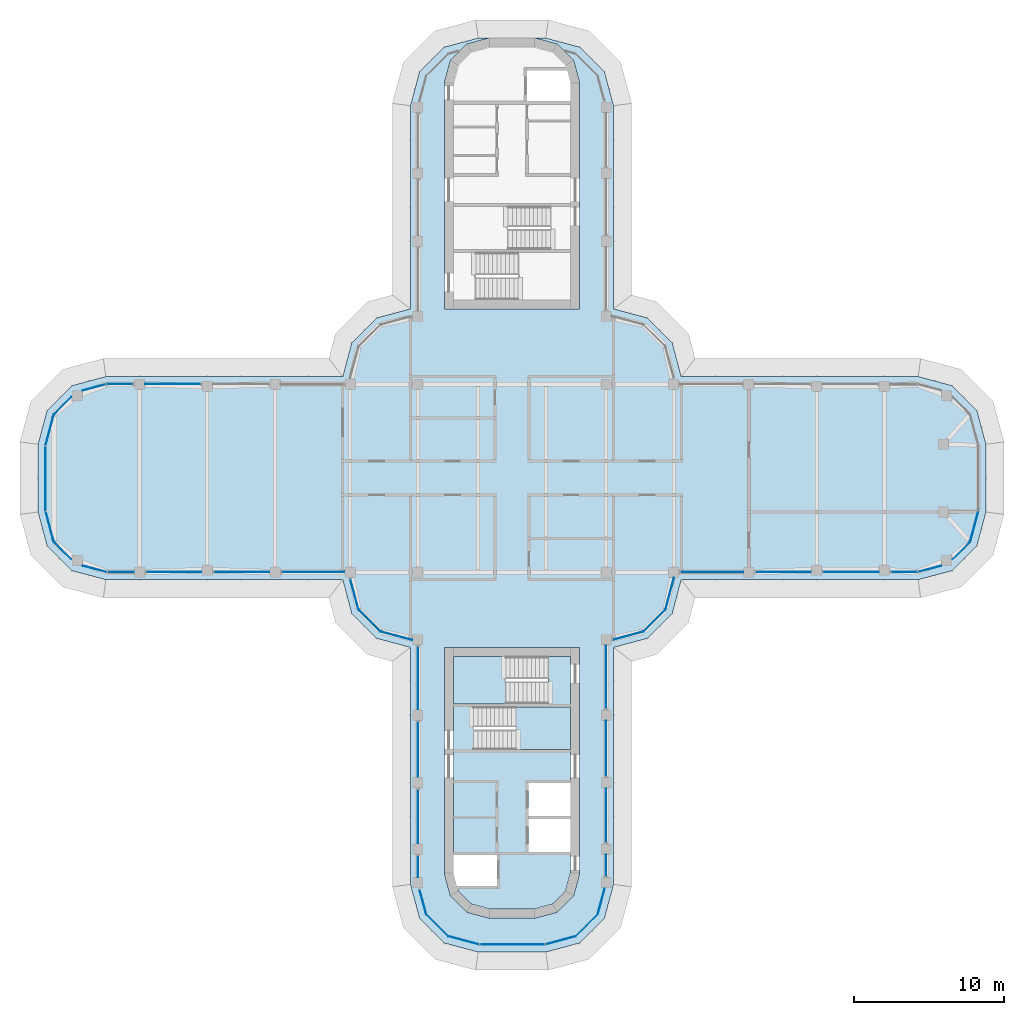
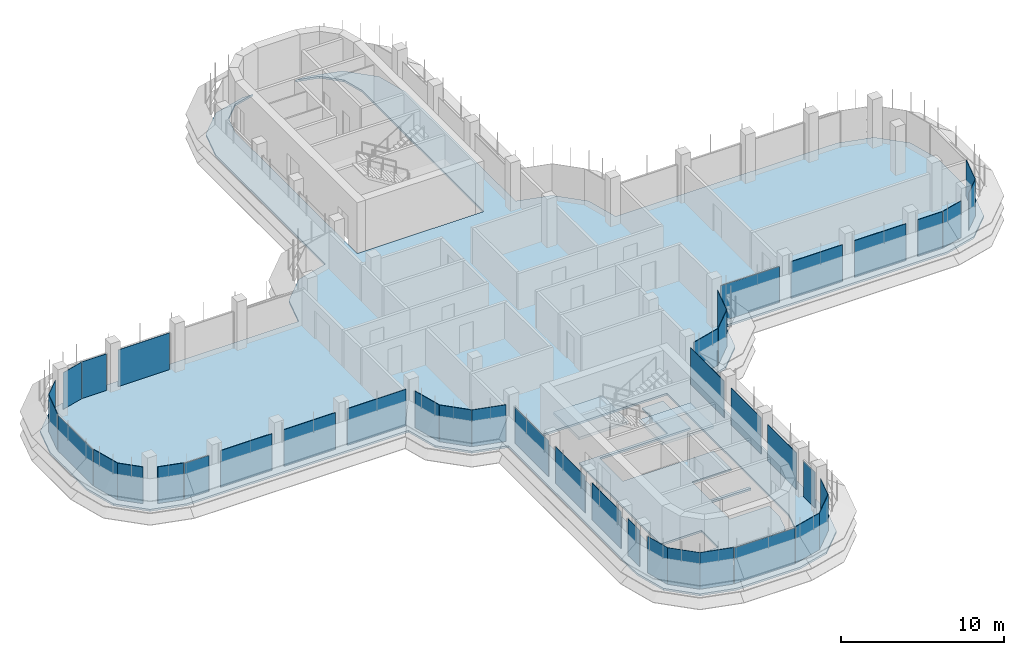
# One storey, part 11 of 19: 41 plates, 4 slabs, 30 elements without a shape of their own.
"""IFC4 building model written with IfcOpenShell, lengths in metres."""

import ifcopenshell
import ifcopenshell.guid

model = None  # the IFC model being written
_history = None  # IfcOwnerHistory: only IFC2X3 demands one
_inside = {}  # id of a spatial element -> (the spatial element, [elements in it])
_under = {}  # id of a project, library or spatial element -> (it, [spatial elements below it])
_declared = {}  # id of a project -> (the project, [libraries it declares])
_typed = {}  # id of a type object -> (the type object, [elements of that type])
_made_of = {}  # id of a material, layer set ... -> (it, [elements and type objects made of it])


def new_model(schema):
    """Start an empty IFC model of exactly this schema.

    Asked for "IFC4X3", IfcOpenShell would pick the latest addendum, in which some entities
    have other attributes; the version numbers below select the first issue.
    IFC2X3 requires an IfcOwnerHistory on every rooted entity: one is made here for all.
    """
    global model, _history
    if schema == "IFC4X3":
        model = ifcopenshell.file(schema_version=(4, 3, 0, 0))
    else:
        model = ifcopenshell.file(schema=schema)
    _inside.clear()
    _under.clear()
    _declared.clear()
    _typed.clear()
    _made_of.clear()
    _history = None
    if model.schema == "IFC2X3":
        org = make("IfcOrganization", Name="unknown")
        user = make(
            "IfcPersonAndOrganization",
            ThePerson=make("IfcPerson", FamilyName="unknown"),
            TheOrganization=org,
        )
        app = make(
            "IfcApplication",
            ApplicationDeveloper=org,
            Version="unknown",
            ApplicationFullName="unknown",
            ApplicationIdentifier="unknown",
        )
        _history = make(
            "IfcOwnerHistory",
            OwningUser=user,
            OwningApplication=app,
            ChangeAction="ADDED",
            CreationDate=0,
        )
    return model


def make(cls, **values):
    """One entity of the class cls with the attributes given. An attribute that is None is left unset."""
    return model.create_entity(
        cls, **{name: value for name, value in values.items() if value is not None}
    )


def rooted(cls, **values):
    """An entity with a GlobalId (a new one), such as an element, a storey or a relation."""
    return make(cls, GlobalId=ifcopenshell.guid.new(), OwnerHistory=_history, **values)


def si_unit(unit_type, name, prefix=None):
    """IfcSIUnit, for example si_unit("LENGTHUNIT", "METRE", prefix="MILLI")."""
    return make("IfcSIUnit", UnitType=unit_type, Prefix=prefix, Name=name)


def assignment(units):
    """IfcUnitAssignment: the units of a project."""
    return None if units is None else make("IfcUnitAssignment", Units=units)


def point(xyz):
    """IfcCartesianPoint."""
    return None if xyz is None else make("IfcCartesianPoint", Coordinates=xyz)


def direction(xyz):
    """IfcDirection."""
    return None if xyz is None else make("IfcDirection", DirectionRatios=xyz)


def frame(location, z_axis=None, x_axis=None):
    """IfcAxis2Placement3D, a coordinate frame: its origin and axes. An axis left out is left unset."""
    return make(
        "IfcAxis2Placement3D",
        Location=point(location),
        Axis=direction(z_axis),
        RefDirection=direction(x_axis),
    )


def origin():
    """The frame at (0, 0, 0) with its axes left unset."""
    return frame((0.0, 0.0, 0.0))


def place(relative_to, where):
    """IfcLocalPlacement: puts the frame where relative to a parent placement (None: the world)."""
    return make(
        "IfcLocalPlacement", PlacementRelTo=relative_to, RelativePlacement=where
    )


def context(
    kind, dimensions, precision=None, world=None, true_north=None, identifier=None
):
    """IfcGeometricRepresentationContext, for example the 3D "Model" context."""
    return make(
        "IfcGeometricRepresentationContext",
        ContextIdentifier=identifier,
        ContextType=kind,
        CoordinateSpaceDimension=dimensions,
        Precision=precision,
        WorldCoordinateSystem=world,
        TrueNorth=true_north,
    )


def subcontext(parent, identifier, kind, view, scale=None):
    """IfcGeometricRepresentationSubContext, for example "Body" below "Model"."""
    return make(
        "IfcGeometricRepresentationSubContext",
        ContextIdentifier=identifier,
        ContextType=kind,
        ParentContext=parent,
        TargetScale=scale,
        TargetView=view,
    )


def project(units=None, contexts=None):
    """IfcProject with its units and contexts."""
    return rooted(
        "IfcProject",
        Name="project",
        RepresentationContexts=contexts,
        UnitsInContext=assignment(units),
    )


def spatial(cls, under=None, at=None, **own):
    """A site, building, storey or space (cls), placed at a placement, below another one or the project."""
    s = rooted(cls, ObjectPlacement=at, **own)
    if under is not None:
        _under.setdefault(under.id(), (under, []))[1].append(s)
    return s


def polyline(points):
    """IfcPolyline through the points."""
    return make("IfcPolyline", Points=[point(p) for p in points])


def outline(outer, holes=None, kind="AREA"):
    """IfcArbitraryClosedProfileDef: a profile drawn as a closed curve; with holes, ...WithVoids."""
    if holes is None:
        return make("IfcArbitraryClosedProfileDef", ProfileType=kind, OuterCurve=outer)
    return make(
        "IfcArbitraryProfileDefWithVoids",
        ProfileType=kind,
        OuterCurve=outer,
        InnerCurves=holes,
    )


def extrude(swept, where, along, depth):
    """IfcExtrudedAreaSolid: the profile swept, set in the frame where, extruded along a direction by depth."""
    return make(
        "IfcExtrudedAreaSolid",
        SweptArea=swept,
        Position=where,
        ExtrudedDirection=direction(along),
        Depth=depth,
    )


def shape(context_of_items, identifier, shape_type, items):
    """IfcShapeRepresentation: the items that make up one representation, for example the "Body"."""
    return make(
        "IfcShapeRepresentation",
        ContextOfItems=context_of_items,
        RepresentationIdentifier=identifier,
        RepresentationType=shape_type,
        Items=items,
    )


def source(mapping_origin, context_of_items, identifier, shape_type, items):
    """IfcRepresentationMap: a shape defined once, which mapped items show again and again."""
    return make(
        "IfcRepresentationMap",
        MappingOrigin=mapping_origin,
        MappedRepresentation=shape(context_of_items, identifier, shape_type, items),
    )


def transform(
    local_origin,
    x_axis=None,
    y_axis=None,
    z_axis=None,
    scale=None,
    scale2=None,
    scale3=None,
    uniform=True,
):
    """IfcCartesianTransformationOperator3D, or its non-uniform kind. x_axis, y_axis, z_axis: its Axis1, 2, 3."""
    if uniform:
        return make(
            "IfcCartesianTransformationOperator3D",
            Axis1=direction(x_axis),
            Axis2=direction(y_axis),
            LocalOrigin=point(local_origin),
            Scale=scale,
            Axis3=direction(z_axis),
        )
    return make(
        "IfcCartesianTransformationOperator3DnonUniform",
        Axis1=direction(x_axis),
        Axis2=direction(y_axis),
        LocalOrigin=point(local_origin),
        Scale=scale,
        Axis3=direction(z_axis),
        Scale2=scale2,
        Scale3=scale3,
    )


def mapped(mapping_source, mapping_target):
    """IfcMappedItem: shows the shape of a source again, moved by a transform."""
    return make(
        "IfcMappedItem", MappingSource=mapping_source, MappingTarget=mapping_target
    )


def material(Name=None, Category=None):
    """IfcMaterial."""
    return make("IfcMaterial", Name=Name, Category=Category)


def layer(
    of_material, thickness, ventilated=None, Name=None, Category=None, Priority=None
):
    """IfcMaterialLayer: one layer of a wall or slab, of a material (None: an air gap)."""
    return make(
        "IfcMaterialLayer",
        Material=of_material,
        LayerThickness=thickness,
        IsVentilated=ventilated,
        Name=Name,
        Category=Category,
        Priority=Priority,
    )


def layer_set(layers, Name=None):
    """IfcMaterialLayerSet."""
    return make("IfcMaterialLayerSet", MaterialLayers=layers, LayerSetName=Name)


def made_of(thing, what):
    """Note that an element or type object is made of a material, layer set ...; save() writes the relation."""
    if what is not None:
        _made_of.setdefault(what.id(), (what, []))[1].append(thing)
    return thing


def type_object(cls, material=None, **own):
    """A type object (cls), such as IfcWallType, which elements share."""
    return made_of(rooted(cls, **own), material)


def element(
    cls,
    number,
    at=None,
    inside=None,
    cuts=None,
    type_object=None,
    material=None,
    context=None,
    identifier="Body",
    shape_type=None,
    held_by="IfcProductDefinitionShape",
    body=None,
    shapes=None,
    **own,
):
    """One element of the class cls, such as IfcWall. Its Tag is "e" and its number.

    at: its placement. inside: the storey or other place that contains it. cuts: it is an
    opening in that element (IfcRelVoidsElement). A single representation is given by context,
    identifier, shape_type and body (its items); several are given by shapes. held_by: the class
    of the entity that holds the representations. save() writes the other relations.
    """
    e = rooted(cls, Tag="e%d" % number, ObjectPlacement=at, **own)
    if body is not None:
        shapes = [shape(context, identifier, shape_type, body)]
    if shapes is not None:
        e.Representation = make(held_by, Representations=shapes)
    if inside is not None:
        _inside.setdefault(inside.id(), (inside, []))[1].append(e)
    if cuts is not None:
        rooted(
            "IfcRelVoidsElement", RelatingBuildingElement=cuts, RelatedOpeningElement=e
        )
    if type_object is not None:
        _typed.setdefault(type_object.id(), (type_object, []))[1].append(e)
    return made_of(e, material)


def aggregate(whole, parts):
    """IfcRelAggregates: a whole, such as a stair, and the parts it consists of."""
    return rooted("IfcRelAggregates", RelatingObject=whole, RelatedObjects=parts)


def save(model, path):
    """Write the relations noted so far, then the file.

    IfcRelAggregates (storeys below a building ...), IfcRelContainedInSpatialStructure (elements
    in a storey), IfcRelDefinesByType, IfcRelAssociatesMaterial and IfcRelDeclares: one each for
    every whole, place, type object, material and project.
    """
    for whole, parts in _under.values():
        aggregate(whole, parts)
    for where, things in _inside.values():
        rooted(
            "IfcRelContainedInSpatialStructure",
            RelatedElements=things,
            RelatingStructure=where,
        )
    for kind, things in _typed.values():
        rooted("IfcRelDefinesByType", RelatedObjects=things, RelatingType=kind)
    for what, things in _made_of.values():
        rooted("IfcRelAssociatesMaterial", RelatedObjects=things, RelatingMaterial=what)
    for by, libraries in _declared.values():
        rooted("IfcRelDeclares", RelatingContext=by, RelatedDefinitions=libraries)
    model.write(path)


model = new_model("IFC4")

# Units and contexts
model_context = context("Model", 3, precision=1e-05, world=origin(), true_north=direction((0.0, 1.0)))
body_context = subcontext(model_context, "Body", "Model", "MODEL_VIEW")
ifc_project = project(units=[si_unit("LENGTHUNIT", "METRE"), si_unit("AREAUNIT", "SQUARE_METRE"), si_unit("VOLUMEUNIT", "CUBIC_METRE"), si_unit("PLANEANGLEUNIT", "RADIAN"), si_unit("MASSUNIT", "GRAM", prefix="KILO")], contexts=[model_context])

# Site, building, storey
site_placement = place(None, origin())
site = spatial("IfcSite", under=ifc_project, at=site_placement, CompositionType="ELEMENT")
building_placement = place(site_placement, origin())
building = spatial("IfcBuilding", under=site, at=building_placement, Name="Zarbagh Exchange Tower", CompositionType="ELEMENT")
storey_placement = place(building_placement, frame((0.0, 0.0, 229.60009765625)))
storey = spatial("IfcBuildingStorey", under=building, at=storey_placement, Name="L56", CompositionType="ELEMENT", Elevation=229.60009765625)

# Slabs
ifc_material_1 = material(Name="Concrete C40/50", Category="concrete")
ifc_layer_1 = layer(ifc_material_1, 0.14990234375)
ifc_layer_set_1 = layer_set([ifc_layer_1], Name="Composite floor slab 150 C40/50")
slab_type_1 = type_object("IfcSlabType", Name="Composite floor slab 150 C40/50", PredefinedType="FLOOR", material=ifc_layer_set_1)
slab_1_placement = place(storey_placement, frame((0.0, 0.0, -0.150146484375)))
element("IfcSlab", 1, at=slab_1_placement, inside=storey, type_object=slab_type_1, Name="S5 composite floor slab", PredefinedType="FLOOR", context=body_context, shape_type="SweptSolid", body=[
    extrude(outline(polyline([(-2.25, -31.5), (-4.5, -30.897216796875), (-6.147216796875, -29.25), (-6.75, -27.0), (-6.75, -11.25), (-9.0, -10.647216796875), (-10.647216796875, -9.0), (-11.25, -6.75), (-27.0, -6.75), (-29.25, -6.147216796875), (-30.897216796875, -4.5), (-31.5, -2.25), (-31.5, 2.25), (-30.897216796875, 4.5), (-29.25, 6.147216796875), (-27.0, 6.75), (-11.25, 6.75), (-10.647216796875, 9.0), (-9.0, 10.647216796875), (-6.75, 11.25), (-6.75, 24.75), (-6.147216796875, 27.0), (-4.5, 28.647216796875), (-2.25, 29.25), (-1.5, 29.25), (-3.0, 28.84814453125), (-4.09814453125, 27.75), (-4.5, 26.25), (-4.5, 11.25), (4.5, 11.25), (4.5, 26.25), (4.09814453125, 27.75), (3.0, 28.84814453125), (1.5, 29.25), (2.25, 29.25), (4.5, 28.647216796875), (6.147216796875, 27.0), (6.75, 24.75), (6.75, 11.25), (9.0, 10.647216796875), (10.647216796875, 9.0), (11.25, 6.75), (27.0, 6.75), (29.25, 6.147216796875), (30.897216796875, 4.5), (31.5, 2.25), (31.5, -2.25), (30.897216796875, -4.5), (29.25, -6.147216796875), (27.0, -6.75), (11.25, -6.75), (10.647216796875, -9.0), (9.0, -10.647216796875), (6.75, -11.25), (6.75, -27.0), (6.147216796875, -29.25), (4.5, -30.897216796875), (2.25, -31.5), (-2.25, -31.5)]), holes=[polyline([(-1.5, -29.25), (1.5, -29.25), (3.0, -28.84814453125), (4.09814453125, -27.75), (4.5, -26.25), (4.5, -11.25), (-4.5, -11.25), (-4.5, -26.25), (-4.09814453125, -27.75), (-3.0, -28.84814453125), (-1.5, -29.25)])]), origin(), (0.0, 0.0, 1.0), 0.150146484375),
])
ifc_layer_2 = layer(ifc_material_1, 0.14990234375)
ifc_layer_set_2 = layer_set([ifc_layer_2], Name="Core floor slab 150 C40/50")
slab_type_2 = type_object("IfcSlabType", Name="Core floor slab 150 C40/50", PredefinedType="FLOOR", material=ifc_layer_set_2)
slab_2_placement = place(storey_placement, frame((0.0, 0.0, -0.150146484375)))
element("IfcSlab", 2, at=slab_2_placement, inside=storey, type_object=slab_type_2, Name="S17 core S", PredefinedType="FLOOR", context=body_context, shape_type="SweptSolid", body=[
    extrude(outline(polyline([(-2.689453125, -28.31005859375), (-3.56005859375, -27.439453125), (-3.651123046875, -27.10009765625), (-1.0, -27.10009765625), (-1.0, -25.050048828125), (-3.89990234375, -25.050048828125), (-3.89990234375, -15.0), (2.39990234375, -15.0), (2.39990234375, -11.85009765625), (3.89990234375, -11.85009765625), (3.89990234375, -15.199951171875), (-2.550048828125, -15.199951171875), (-2.550048828125, -18.050048828125), (3.89990234375, -18.050048828125), (3.89990234375, -20.25), (1.10009765625, -20.25), (1.10009765625, -22.449951171875), (3.89990234375, -22.449951171875), (3.89990234375, -22.64990234375), (1.10009765625, -22.64990234375), (1.10009765625, -24.85009765625), (3.89990234375, -24.85009765625), (3.89990234375, -26.1708984375), (3.56005859375, -27.439453125), (2.689453125, -28.31005859375), (1.4208984375, -28.64990234375), (-1.4208984375, -28.64990234375), (-2.689453125, -28.31005859375)])), origin(), (0.0, 0.0, 1.0), 0.150146484375),
])

# Stair, slab
stair_type = type_object("IfcStairType", Name="Exit stair two-flight half-turn", PredefinedType="HALF_TURN_STAIR", material=ifc_material_1)
stair_1_placement = place(storey_placement, origin())
stair_1 = element("IfcStair", 3, at=stair_1_placement, inside=storey, type_object=stair_type, Name="exit stair ST3", PredefinedType="HALF_TURN_STAIR")
ifc_layer_3 = layer(ifc_material_1, 0.199951171875)
ifc_layer_set_3 = layer_set([ifc_layer_3], Name="Stair landing 200 mm")
slab_type_3 = type_object("IfcSlabType", Name="Stair landing 200 mm", PredefinedType="LANDING", material=ifc_layer_set_3)
slab_3_placement = place(storey_placement, frame((0.0, 0.0, 1.699951171875)))
slab_3 = element("IfcSlab", 4, at=slab_3_placement, type_object=slab_type_3, Name="ST3 landing 1", PredefinedType="LANDING", context=body_context, shape_type="SweptSolid", body=[
    extrude(outline(polyline([(0.25, -18.050048828125), (3.89990234375, -18.050048828125), (3.89990234375, -15.199951171875), (0.25, -15.199951171875), (0.25, -18.050048828125)])), origin(), (0.0, 0.0, 1.0), 0.199951171875),
])
aggregate(stair_1, [slab_3])

stair_2_placement = place(storey_placement, origin())
stair_2 = element("IfcStair", 5, at=stair_2_placement, inside=storey, type_object=stair_type, Name="exit stair ST4", PredefinedType="HALF_TURN_STAIR")
slab_4_placement = place(storey_placement, frame((0.0, 0.0, 1.699951171875)))
slab_4 = element("IfcSlab", 6, at=slab_4_placement, type_object=slab_type_3, Name="ST4 landing 1", PredefinedType="LANDING", context=body_context, shape_type="SweptSolid", body=[
    extrude(outline(polyline([(-0.39990234375, -11.85009765625), (-3.89990234375, -11.85009765625), (-3.89990234375, -15.0), (-0.39990234375, -15.0), (-0.39990234375, -11.85009765625)])), origin(), (0.0, 0.0, 1.0), 0.199951171875),
])
aggregate(stair_2, [slab_4])

# Curtain wall, plate
ifc_material_2 = material(Name="Anodised aluminium frame and glazing", Category="aluminium")
curtain_wall_type = type_object("IfcCurtainWallType", Name="CWB Ribbon glazing, upper zones", PredefinedType="NOTDEFINED", material=ifc_material_2)
curtain_wall_1_placement = place(storey_placement, origin())
curtain_wall_1 = element("IfcCurtainWall", 7, at=curtain_wall_1_placement, inside=storey, type_object=curtain_wall_type, Name="CWB50 curtain wall", PredefinedType="NOTDEFINED")
ifc_material_3 = material(Name="Low-e double glazed unit, 6+12+6 mm")
ifc_layer_4 = layer(ifc_material_3, 0.031982421875)
ifc_layer_set_4 = layer_set([ifc_layer_4], Name="PAB Glazing panel, Low-e double glazed unit, 6+12+6 mm")
plate_type = type_object("IfcPlateType", Name="PAB Glazing panel, Low-e double glazed unit, 6+12+6 mm", PredefinedType="CURTAIN_PANEL", material=ifc_layer_set_4)
shared_shape_1 = source(origin(), body_context, "Body", "SweptSolid", [
    extrude(outline(polyline([(0.0, -0.01611328125), (2.061279296875, -0.01611328125), (2.061279296875, 0.01611328125), (0.0, 0.01611328125), (0.0, -0.01611328125)])), origin(), (0.0, 0.0, 1.0), 2.75),
])
placement = place(storey_placement, origin())
plate_1 = element("IfcPlate", 8, at=placement, type_object=plate_type, Name="CWB50 glazing panel 1.1", PredefinedType="CURTAIN_PANEL", context=body_context, shape_type="MappedRepresentation", body=[
    mapped(shared_shape_1, transform((4.2412109375, -30.44873046875, 0.0), x_axis=(0.707106781187, 0.707106781187, 0.0), y_axis=(-0.707106781187, 0.707106781187, 0.0), z_axis=(0.0, 0.0, 1.0))),
])
aggregate(curtain_wall_1, [plate_1])

curtain_wall_2_placement = place(storey_placement, origin())
curtain_wall_2 = element("IfcCurtainWall", 9, at=curtain_wall_2_placement, inside=storey, type_object=curtain_wall_type, Name="CWB06 curtain wall", PredefinedType="NOTDEFINED")
plate_2 = element("IfcPlate", 10, at=placement, type_object=plate_type, Name="CWB06 glazing panel 1.1", PredefinedType="CURTAIN_PANEL", context=body_context, shape_type="MappedRepresentation", body=[
    mapped(shared_shape_1, transform((8.7412109375, -10.19873046875, 0.0), x_axis=(0.707106781187, 0.707106781187, 0.0), y_axis=(-0.707106781187, 0.707106781187, 0.0), z_axis=(0.0, 0.0, 1.0))),
])
aggregate(curtain_wall_2, [plate_2])

curtain_wall_3_placement = place(storey_placement, origin())
curtain_wall_3 = element("IfcCurtainWall", 11, at=curtain_wall_3_placement, inside=storey, type_object=curtain_wall_type, Name="CWB42 curtain wall", PredefinedType="NOTDEFINED")
plate_3 = element("IfcPlate", 12, at=placement, type_object=plate_type, Name="CWB42 glazing panel 1.1", PredefinedType="CURTAIN_PANEL", context=body_context, shape_type="MappedRepresentation", body=[
    mapped(shared_shape_1, transform((-10.19873046875, -8.7412109375, 0.0), x_axis=(0.707106781187, -0.707106781187, 0.0), y_axis=(0.707106781187, 0.707106781187, 0.0), z_axis=(0.0, 0.0, 1.0))),
])
aggregate(curtain_wall_3, [plate_3])

curtain_wall_4_placement = place(storey_placement, origin())
curtain_wall_4 = element("IfcCurtainWall", 13, at=curtain_wall_4_placement, inside=storey, type_object=curtain_wall_type, Name="CWB55 curtain wall", PredefinedType="NOTDEFINED")
plate_4 = element("IfcPlate", 14, at=placement, type_object=plate_type, Name="CWB55 glazing panel 1.1", PredefinedType="CURTAIN_PANEL", context=body_context, shape_type="MappedRepresentation", body=[
    mapped(shared_shape_1, transform((-5.69873046875, -28.9912109375, 0.0), x_axis=(0.707106781187, -0.707106781187, 0.0), y_axis=(0.707106781187, 0.707106781187, 0.0), z_axis=(0.0, 0.0, 1.0))),
])
aggregate(curtain_wall_4, [plate_4])

curtain_wall_5_placement = place(storey_placement, origin())
curtain_wall_5 = element("IfcCurtainWall", 15, at=curtain_wall_5_placement, inside=storey, type_object=curtain_wall_type, Name="CWB11 curtain wall", PredefinedType="NOTDEFINED")
shared_shape_2 = source(origin(), body_context, "Body", "SweptSolid", [
    extrude(outline(polyline([(0.0, -0.01611328125), (2.129638671875, -0.01611328125), (2.129638671875, 0.01611328125), (0.0, 0.01611328125), (0.0, -0.01611328125)])), origin(), (0.0, 0.0, 1.0), 2.75),
])
plate_5 = element("IfcPlate", 16, at=placement, type_object=plate_type, Name="CWB11 glazing panel 1.1", PredefinedType="CURTAIN_PANEL", context=body_context, shape_type="MappedRepresentation", body=[
    mapped(shared_shape_2, transform((30.44873046875, -4.2412109375, 0.0), x_axis=(0.258824779902, 0.965924289636, 0.0), y_axis=(-0.965924289636, 0.258824779902, 0.0), z_axis=(0.0, 0.0, 1.0))),
])
aggregate(curtain_wall_5, [plate_5])

curtain_wall_6_placement = place(storey_placement, origin())
curtain_wall_6 = element("IfcCurtainWall", 17, at=curtain_wall_6_placement, inside=storey, type_object=curtain_wall_type, Name="CWB61 curtain wall", PredefinedType="NOTDEFINED")
plate_6 = element("IfcPlate", 18, at=placement, type_object=plate_type, Name="CWB61 glazing panel 1.1", PredefinedType="CURTAIN_PANEL", context=body_context, shape_type="MappedRepresentation", body=[
    mapped(shared_shape_2, transform((-30.44873046875, 4.2412109375, 0.0), x_axis=(-0.258824779902, -0.965924289636, 0.0), y_axis=(0.965924289636, -0.258824779902, 0.0), z_axis=(0.0, 0.0, 1.0))),
])
aggregate(curtain_wall_6, [plate_6])

curtain_wall_7_placement = place(storey_placement, origin())
curtain_wall_7 = element("IfcCurtainWall", 19, at=curtain_wall_7_placement, inside=storey, type_object=curtain_wall_type, Name="CWB56 curtain wall", PredefinedType="NOTDEFINED")
plate_7 = element("IfcPlate", 20, at=placement, type_object=plate_type, Name="CWB56 glazing panel 1.1", PredefinedType="CURTAIN_PANEL", context=body_context, shape_type="MappedRepresentation", body=[
    mapped(shared_shape_2, transform((-4.2412109375, -30.44873046875, 0.0), x_axis=(0.965924289636, -0.258824779902, 0.0), y_axis=(0.258824779902, 0.965924289636, 0.0), z_axis=(0.0, 0.0, 1.0))),
])
aggregate(curtain_wall_7, [plate_7])

curtain_wall_8_placement = place(storey_placement, origin())
curtain_wall_8 = element("IfcCurtainWall", 21, at=curtain_wall_8_placement, inside=storey, type_object=curtain_wall_type, Name="CWB52 curtain wall", PredefinedType="NOTDEFINED")
shared_shape_3 = source(origin(), body_context, "Body", "SweptSolid", [
    extrude(outline(polyline([(0.0, -0.01611328125), (3.56005859375, -0.01611328125), (3.56005859375, 0.01611328125), (0.0, 0.01611328125), (0.0, -0.01611328125)])), origin(), (0.0, 0.0, 1.0), 2.75),
])
plate_8 = element("IfcPlate", 22, at=placement, type_object=plate_type, Name="CWB52 glazing panel 2.1", PredefinedType="CURTAIN_PANEL", context=body_context, shape_type="MappedRepresentation", body=[
    mapped(shared_shape_3, transform((6.25, -24.199951171875, 0.0), x_axis=(0.0, 1.0, 0.0), y_axis=(-1.0, 0.0, 0.0), z_axis=(0.0, 0.0, 1.0))),
])

curtain_wall_9_placement = place(storey_placement, origin())
curtain_wall_9 = element("IfcCurtainWall", 23, at=curtain_wall_9_placement, inside=storey, type_object=curtain_wall_type, Name="CWB53 curtain wall", PredefinedType="NOTDEFINED")
plate_9 = element("IfcPlate", 24, at=placement, type_object=plate_type, Name="CWB53 glazing panel 3.1", PredefinedType="CURTAIN_PANEL", context=body_context, shape_type="MappedRepresentation", body=[
    mapped(shared_shape_3, transform((-6.25, -20.699951171875, 0.0), x_axis=(0.0, -1.0, 0.0), y_axis=(1.0, 0.0, 0.0), z_axis=(0.0, 0.0, 1.0))),
])

curtain_wall_10_placement = place(storey_placement, origin())
curtain_wall_10 = element("IfcCurtainWall", 25, at=curtain_wall_10_placement, inside=storey, type_object=curtain_wall_type, Name="CWB66 curtain wall", PredefinedType="NOTDEFINED")
shared_shape_4 = source(origin(), body_context, "Body", "SweptSolid", [
    extrude(outline(polyline([(0.0, -0.01611328125), (4.308349609375, -0.01611328125), (4.308349609375, 0.01611328125), (0.0, 0.01611328125), (0.0, -0.01611328125)])), origin(), (0.0, 0.0, 1.0), 2.68994140625),
])
plate_10 = element("IfcPlate", 26, at=placement, type_object=plate_type, Name="CWB66 glazing panel 1.1", PredefinedType="CURTAIN_PANEL", context=body_context, shape_type="MappedRepresentation", body=[
    mapped(shared_shape_4, transform((-31.0, 2.124267578125, 0.0), x_axis=(0.0, -1.0, 0.0), y_axis=(1.0, 0.0, 0.0), z_axis=(0.0, 0.0, 1.0))),
])
aggregate(curtain_wall_10, [plate_10])

curtain_wall_11_placement = place(storey_placement, origin())
curtain_wall_11 = element("IfcCurtainWall", 27, at=curtain_wall_11_placement, inside=storey, type_object=curtain_wall_type, Name="CWB57 curtain wall", PredefinedType="NOTDEFINED")
plate_11 = element("IfcPlate", 28, at=placement, type_object=plate_type, Name="CWB57 glazing panel 1.1", PredefinedType="CURTAIN_PANEL", context=body_context, shape_type="MappedRepresentation", body=[
    mapped(shared_shape_4, transform((-2.124267578125, -31.0, 0.0), x_axis=(1.0, 0.0, 0.0), y_axis=(0.0, 1.0, 0.0), z_axis=(0.0, 0.0, 1.0))),
])
aggregate(curtain_wall_11, [plate_11])

curtain_wall_12_placement = place(storey_placement, origin())
curtain_wall_12 = element("IfcCurtainWall", 29, at=curtain_wall_12_placement, inside=storey, type_object=curtain_wall_type, Name="CWB49 curtain wall", PredefinedType="NOTDEFINED")
shared_shape_5 = source(origin(), body_context, "Body", "SweptSolid", [
    extrude(outline(polyline([(0.0, -0.01611328125), (2.069580078125, -0.01611328125), (2.069580078125, 0.01611328125), (0.0, 0.01611328125), (0.0, -0.01611328125)])), origin(), (0.0, 0.0, 1.0), 2.75),
])
plate_12 = element("IfcPlate", 30, at=placement, type_object=plate_type, Name="CWB49 glazing panel 1.1", PredefinedType="CURTAIN_PANEL", context=body_context, shape_type="MappedRepresentation", body=[
    mapped(shared_shape_5, transform((2.2421875, -30.984375, 0.0), x_axis=(0.965924289636, 0.258824779902, 0.0), y_axis=(-0.258824779902, 0.965924289636, 0.0), z_axis=(0.0, 0.0, 1.0))),
])
aggregate(curtain_wall_12, [plate_12])

curtain_wall_13_placement = place(storey_placement, origin())
curtain_wall_13 = element("IfcCurtainWall", 31, at=curtain_wall_13_placement, inside=storey, type_object=curtain_wall_type, Name="CWB62 curtain wall", PredefinedType="NOTDEFINED")
plate_13 = element("IfcPlate", 32, at=placement, type_object=plate_type, Name="CWB62 glazing panel 1.1", PredefinedType="CURTAIN_PANEL", context=body_context, shape_type="MappedRepresentation", body=[
    mapped(shared_shape_5, transform((-30.984375, -2.2421875, 0.0), x_axis=(0.258824779902, -0.965924289636, 0.0), y_axis=(0.965924289636, 0.258824779902, 0.0), z_axis=(0.0, 0.0, 1.0))),
])
aggregate(curtain_wall_13, [plate_13])

curtain_wall_14_placement = place(storey_placement, origin())
curtain_wall_14 = element("IfcCurtainWall", 33, at=curtain_wall_14_placement, inside=storey, type_object=curtain_wall_type, Name="CWB51 curtain wall", PredefinedType="NOTDEFINED")
shared_shape_6 = source(origin(), body_context, "Body", "SweptSolid", [
    extrude(outline(polyline([(0.0, -0.01611328125), (1.76123046875, -0.01611328125), (1.76123046875, 0.01611328125), (0.0, 0.01611328125), (0.0, -0.01611328125)])), origin(), (0.0, 0.0, 1.0), 2.75),
])
plate_14 = element("IfcPlate", 34, at=placement, type_object=plate_type, Name="CWB51 glazing panel 1.1", PredefinedType="CURTAIN_PANEL", context=body_context, shape_type="MappedRepresentation", body=[
    mapped(shared_shape_6, transform((5.69873046875, -28.9912109375, 0.0), x_axis=(0.258824779902, 0.965924289636, 0.0), y_axis=(-0.965924289636, 0.258824779902, 0.0), z_axis=(0.0, 0.0, 1.0))),
])
aggregate(curtain_wall_14, [plate_14])

# Plate
shared_shape_7 = source(origin(), body_context, "Body", "SweptSolid", [
    extrude(outline(polyline([(0.0, -0.01611328125), (1.409912109375, -0.01611328125), (1.409912109375, 0.01611328125), (0.0, 0.01611328125), (0.0, -0.01611328125)])), origin(), (0.0, 0.0, 1.0), 2.68994140625),
])
plate_15 = element("IfcPlate", 35, at=placement, type_object=plate_type, Name="CWB52 glazing panel 1.1", PredefinedType="CURTAIN_PANEL", context=body_context, shape_type="MappedRepresentation", body=[
    mapped(shared_shape_7, transform((6.25, -26.449951171875, 0.0), x_axis=(0.0, 1.0, 0.0), y_axis=(-1.0, 0.0, 0.0), z_axis=(0.0, 0.0, 1.0))),
])

shared_shape_8 = source(origin(), body_context, "Body", "SweptSolid", [
    extrude(outline(polyline([(0.0, -0.01611328125), (3.659912109375, -0.01611328125), (3.659912109375, 0.01611328125), (0.0, 0.01611328125), (0.0, -0.01611328125)])), origin(), (0.0, 0.0, 1.0), 2.75),
])
plate_16 = element("IfcPlate", 36, at=placement, type_object=plate_type, Name="CWB52 glazing panel 3.1", PredefinedType="CURTAIN_PANEL", context=body_context, shape_type="MappedRepresentation", body=[
    mapped(shared_shape_8, transform((6.25, -19.800048828125, 0.0), x_axis=(0.0, 1.0, 0.0), y_axis=(-1.0, 0.0, 0.0), z_axis=(0.0, 0.0, 1.0))),
])

# Curtain wall, plates
curtain_wall_15_placement = place(storey_placement, origin())
curtain_wall_15 = element("IfcCurtainWall", 37, at=curtain_wall_15_placement, inside=storey, type_object=curtain_wall_type, Name="CWB08 curtain wall", PredefinedType="NOTDEFINED")
plate_17 = element("IfcPlate", 38, at=placement, type_object=plate_type, Name="CWB08 glazing panel 2.1", PredefinedType="CURTAIN_PANEL", context=body_context, shape_type="MappedRepresentation", body=[
    mapped(shared_shape_8, transform((16.199951171875, -6.25, 0.0), x_axis=(1.0, 0.0, 0.0), y_axis=(0.0, 1.0, 0.0), z_axis=(0.0, 0.0, 1.0))),
])
plate_18 = element("IfcPlate", 39, at=placement, type_object=plate_type, Name="CWB08 glazing panel 3.1", PredefinedType="CURTAIN_PANEL", context=body_context, shape_type="MappedRepresentation", body=[
    mapped(shared_shape_8, transform((20.699951171875, -6.25, 0.0), x_axis=(1.0, 0.0, 0.0), y_axis=(0.0, 1.0, 0.0), z_axis=(0.0, 0.0, 1.0))),
])

# Curtain wall, plate
curtain_wall_16_placement = place(storey_placement, origin())
curtain_wall_16 = element("IfcCurtainWall", 40, at=curtain_wall_16_placement, inside=storey, type_object=curtain_wall_type, Name="CWB58 curtain wall", PredefinedType="NOTDEFINED")
plate_19 = element("IfcPlate", 41, at=placement, type_object=plate_type, Name="CWB58 glazing panel 3.1", PredefinedType="CURTAIN_PANEL", context=body_context, shape_type="MappedRepresentation", body=[
    mapped(shared_shape_8, transform((-20.699951171875, 6.25, 0.0), x_axis=(-1.0, 0.0, 0.0), y_axis=(0.0, -1.0, 0.0), z_axis=(0.0, 0.0, 1.0))),
])

# Curtain wall, plates
curtain_wall_17_placement = place(storey_placement, origin())
curtain_wall_17 = element("IfcCurtainWall", 42, at=curtain_wall_17_placement, inside=storey, type_object=curtain_wall_type, Name="CWB65 curtain wall", PredefinedType="NOTDEFINED")
plate_20 = element("IfcPlate", 43, at=placement, type_object=plate_type, Name="CWB65 glazing panel 2.1", PredefinedType="CURTAIN_PANEL", context=body_context, shape_type="MappedRepresentation", body=[
    mapped(shared_shape_8, transform((-24.300048828125, -6.25, 0.0), x_axis=(1.0, 0.0, 0.0), y_axis=(0.0, 1.0, 0.0), z_axis=(0.0, 0.0, 1.0))),
])
plate_21 = element("IfcPlate", 44, at=placement, type_object=plate_type, Name="CWB65 glazing panel 3.1", PredefinedType="CURTAIN_PANEL", context=body_context, shape_type="MappedRepresentation", body=[
    mapped(shared_shape_8, transform((-19.800048828125, -6.25, 0.0), x_axis=(1.0, 0.0, 0.0), y_axis=(0.0, 1.0, 0.0), z_axis=(0.0, 0.0, 1.0))),
])

# Plate
plate_22 = element("IfcPlate", 45, at=placement, type_object=plate_type, Name="CWB53 glazing panel 2.1", PredefinedType="CURTAIN_PANEL", context=body_context, shape_type="MappedRepresentation", body=[
    mapped(shared_shape_8, transform((-6.25, -16.199951171875, 0.0), x_axis=(0.0, -1.0, 0.0), y_axis=(1.0, 0.0, 0.0), z_axis=(0.0, 0.0, 1.0))),
])

shared_shape_9 = source(origin(), body_context, "Body", "SweptSolid", [
    extrude(outline(polyline([(0.0, -0.01611328125), (4.159912109375, -0.01611328125), (4.159912109375, 0.01611328125), (0.0, 0.01611328125), (0.0, -0.01611328125)])), origin(), (0.0, 0.0, 1.0), 2.75),
])
plate_23 = element("IfcPlate", 46, at=placement, type_object=plate_type, Name="CWB52 glazing panel 4.1", PredefinedType="CURTAIN_PANEL", context=body_context, shape_type="MappedRepresentation", body=[
    mapped(shared_shape_9, transform((6.25, -15.300048828125, 0.0), x_axis=(0.0, 1.0, 0.0), y_axis=(-1.0, 0.0, 0.0), z_axis=(0.0, 0.0, 1.0))),
])

aggregate(curtain_wall_8, [plate_15, plate_8, plate_16, plate_23])

plate_24 = element("IfcPlate", 47, at=placement, type_object=plate_type, Name="CWB65 glazing panel 4.1", PredefinedType="CURTAIN_PANEL", context=body_context, shape_type="MappedRepresentation", body=[
    mapped(shared_shape_9, transform((-15.300048828125, -6.25, 0.0), x_axis=(1.0, 0.0, 0.0), y_axis=(0.0, 1.0, 0.0), z_axis=(0.0, 0.0, 1.0))),
])

# Curtain wall, plate
curtain_wall_18_placement = place(storey_placement, origin())
curtain_wall_18 = element("IfcCurtainWall", 48, at=curtain_wall_18_placement, inside=storey, type_object=curtain_wall_type, Name="CWB05 curtain wall", PredefinedType="NOTDEFINED")
shared_shape_10 = source(origin(), body_context, "Body", "SweptSolid", [
    extrude(outline(polyline([(0.0, -0.01611328125), (2.115234375, -0.01611328125), (2.115234375, 0.01611328125), (0.0, 0.01611328125), (0.0, -0.01611328125)])), origin(), (0.0, 0.0, 1.0), 2.75),
])
plate_25 = element("IfcPlate", 49, at=placement, type_object=plate_type, Name="CWB05 glazing panel 1.1", PredefinedType="CURTAIN_PANEL", context=body_context, shape_type="MappedRepresentation", body=[
    mapped(shared_shape_10, transform((6.697998046875, -10.746337890625, 0.0), x_axis=(0.965924289636, 0.258824779902, 0.0), y_axis=(-0.258824779902, 0.965924289636, 0.0), z_axis=(0.0, 0.0, 1.0))),
])
aggregate(curtain_wall_18, [plate_25])

curtain_wall_19_placement = place(storey_placement, origin())
curtain_wall_19 = element("IfcCurtainWall", 50, at=curtain_wall_19_placement, inside=storey, type_object=curtain_wall_type, Name="CWB41 curtain wall", PredefinedType="NOTDEFINED")
plate_26 = element("IfcPlate", 51, at=placement, type_object=plate_type, Name="CWB41 glazing panel 1.1", PredefinedType="CURTAIN_PANEL", context=body_context, shape_type="MappedRepresentation", body=[
    mapped(shared_shape_10, transform((-10.746337890625, -6.697998046875, 0.0), x_axis=(0.258824779902, -0.965924289636, 0.0), y_axis=(0.965924289636, 0.258824779902, 0.0), z_axis=(0.0, 0.0, 1.0))),
])
aggregate(curtain_wall_19, [plate_26])

curtain_wall_20_placement = place(storey_placement, origin())
curtain_wall_20 = element("IfcCurtainWall", 52, at=curtain_wall_20_placement, inside=storey, type_object=curtain_wall_type, Name="CWB07 curtain wall", PredefinedType="NOTDEFINED")
shared_shape_11 = source(origin(), body_context, "Body", "SweptSolid", [
    extrude(outline(polyline([(0.0, -0.01611328125), (2.17529296875, -0.01611328125), (2.17529296875, 0.01611328125), (0.0, 0.01611328125), (0.0, -0.01611328125)])), origin(), (0.0, 0.0, 1.0), 2.75),
])
plate_27 = element("IfcPlate", 53, at=placement, type_object=plate_type, Name="CWB07 glazing panel 1.1", PredefinedType="CURTAIN_PANEL", context=body_context, shape_type="MappedRepresentation", body=[
    mapped(shared_shape_11, transform((10.19873046875, -8.7412109375, 0.0), x_axis=(0.258824779902, 0.965924289636, 0.0), y_axis=(-0.965924289636, 0.258824779902, 0.0), z_axis=(0.0, 0.0, 1.0))),
])
aggregate(curtain_wall_20, [plate_27])

curtain_wall_21_placement = place(storey_placement, origin())
curtain_wall_21 = element("IfcCurtainWall", 54, at=curtain_wall_21_placement, inside=storey, type_object=curtain_wall_type, Name="CWB43 curtain wall", PredefinedType="NOTDEFINED")
plate_28 = element("IfcPlate", 55, at=placement, type_object=plate_type, Name="CWB43 glazing panel 1.1", PredefinedType="CURTAIN_PANEL", context=body_context, shape_type="MappedRepresentation", body=[
    mapped(shared_shape_11, transform((-8.7412109375, -10.19873046875, 0.0), x_axis=(0.965924289636, -0.258824779902, 0.0), y_axis=(0.258824779902, 0.965924289636, 0.0), z_axis=(0.0, 0.0, 1.0))),
])
aggregate(curtain_wall_21, [plate_28])

# Plate
shared_shape_12 = source(origin(), body_context, "Body", "SweptSolid", [
    extrude(outline(polyline([(0.0, -0.01611328125), (4.159912109375, -0.01611328125), (4.159912109375, 0.01611328125), (0.0, 0.01611328125), (0.0, -0.01611328125)])), origin(), (0.0, 0.0, 1.0), 2.68994140625),
])
plate_29 = element("IfcPlate", 56, at=placement, type_object=plate_type, Name="CWB08 glazing panel 1.1", PredefinedType="CURTAIN_PANEL", context=body_context, shape_type="MappedRepresentation", body=[
    mapped(shared_shape_12, transform((11.199951171875, -6.25, 0.0), x_axis=(1.0, 0.0, 0.0), y_axis=(0.0, 1.0, 0.0), z_axis=(0.0, 0.0, 1.0))),
])

plate_30 = element("IfcPlate", 57, at=placement, type_object=plate_type, Name="CWB53 glazing panel 1.1", PredefinedType="CURTAIN_PANEL", context=body_context, shape_type="MappedRepresentation", body=[
    mapped(shared_shape_12, transform((-6.25, -11.199951171875, 0.0), x_axis=(0.0, -1.0, 0.0), y_axis=(1.0, 0.0, 0.0), z_axis=(0.0, 0.0, 1.0))),
])

shared_shape_13 = source(origin(), body_context, "Body", "SweptSolid", [
    extrude(outline(polyline([(0.0, -0.01611328125), (1.734130859375, -0.01611328125), (1.734130859375, 0.01611328125), (0.0, 0.01611328125), (0.0, -0.01611328125)])), origin(), (0.0, 0.0, 1.0), 2.75),
])
plate_31 = element("IfcPlate", 58, at=placement, type_object=plate_type, Name="CWB08 glazing panel 4.1", PredefinedType="CURTAIN_PANEL", context=body_context, shape_type="MappedRepresentation", body=[
    mapped(shared_shape_13, transform((25.199951171875, -6.25, 0.0), x_axis=(1.0, 0.0, 0.0), y_axis=(0.0, 1.0, 0.0), z_axis=(0.0, 0.0, 1.0))),
])

aggregate(curtain_wall_15, [plate_29, plate_17, plate_18, plate_31])

plate_32 = element("IfcPlate", 59, at=placement, type_object=plate_type, Name="CWB58 glazing panel 4.1", PredefinedType="CURTAIN_PANEL", context=body_context, shape_type="MappedRepresentation", body=[
    mapped(shared_shape_13, transform((-25.199951171875, 6.25, 0.0), x_axis=(-1.0, 0.0, 0.0), y_axis=(0.0, -1.0, 0.0), z_axis=(0.0, 0.0, 1.0))),
])

aggregate(curtain_wall_16, [plate_19, plate_32])

# Curtain wall, plate
curtain_wall_22_placement = place(storey_placement, origin())
curtain_wall_22 = element("IfcCurtainWall", 60, at=curtain_wall_22_placement, inside=storey, type_object=curtain_wall_type, Name="CWB09 curtain wall", PredefinedType="NOTDEFINED")
shared_shape_14 = source(origin(), body_context, "Body", "SweptSolid", [
    extrude(outline(polyline([(0.0, -0.01611328125), (1.57958984375, -0.01611328125), (1.57958984375, 0.01611328125), (0.0, 0.01611328125), (0.0, -0.01611328125)])), origin(), (0.0, 0.0, 1.0), 2.75),
])
plate_33 = element("IfcPlate", 61, at=placement, type_object=plate_type, Name="CWB09 glazing panel 1.1", PredefinedType="CURTAIN_PANEL", context=body_context, shape_type="MappedRepresentation", body=[
    mapped(shared_shape_14, transform((26.9921875, -6.234375, 0.0), x_axis=(0.965924289636, 0.258824779902, 0.0), y_axis=(-0.258824779902, 0.965924289636, 0.0), z_axis=(0.0, 0.0, 1.0))),
])
aggregate(curtain_wall_22, [plate_33])

curtain_wall_23_placement = place(storey_placement, origin())
curtain_wall_23 = element("IfcCurtainWall", 62, at=curtain_wall_23_placement, inside=storey, type_object=curtain_wall_type, Name="CWB59 curtain wall", PredefinedType="NOTDEFINED")
plate_34 = element("IfcPlate", 63, at=placement, type_object=plate_type, Name="CWB59 glazing panel 1.1", PredefinedType="CURTAIN_PANEL", context=body_context, shape_type="MappedRepresentation", body=[
    mapped(shared_shape_14, transform((-26.9921875, 6.234375, 0.0), x_axis=(-0.965924289636, -0.258824779902, 0.0), y_axis=(0.258824779902, -0.965924289636, 0.0), z_axis=(0.0, 0.0, 1.0))),
])
aggregate(curtain_wall_23, [plate_34])

curtain_wall_24_placement = place(storey_placement, origin())
curtain_wall_24 = element("IfcCurtainWall", 64, at=curtain_wall_24_placement, inside=storey, type_object=curtain_wall_type, Name="CWB10 curtain wall", PredefinedType="NOTDEFINED")
shared_shape_15 = source(origin(), body_context, "Body", "SweptSolid", [
    extrude(outline(polyline([(0.0, -0.01611328125), (1.62744140625, -0.01611328125), (1.62744140625, 0.01611328125), (0.0, 0.01611328125), (0.0, -0.01611328125)])), origin(), (0.0, 0.0, 1.0), 2.75),
])
plate_35 = element("IfcPlate", 65, at=placement, type_object=plate_type, Name="CWB10 glazing panel 1.1", PredefinedType="CURTAIN_PANEL", context=body_context, shape_type="MappedRepresentation", body=[
    mapped(shared_shape_15, transform((29.298095703125, -5.39208984375, 0.0), x_axis=(0.707106781187, 0.707106781187, 0.0), y_axis=(-0.707106781187, 0.707106781187, 0.0), z_axis=(0.0, 0.0, 1.0))),
])
aggregate(curtain_wall_24, [plate_35])

curtain_wall_25_placement = place(storey_placement, origin())
curtain_wall_25 = element("IfcCurtainWall", 66, at=curtain_wall_25_placement, inside=storey, type_object=curtain_wall_type, Name="CWB60 curtain wall", PredefinedType="NOTDEFINED")
plate_36 = element("IfcPlate", 67, at=placement, type_object=plate_type, Name="CWB60 glazing panel 1.1", PredefinedType="CURTAIN_PANEL", context=body_context, shape_type="MappedRepresentation", body=[
    mapped(shared_shape_15, transform((-29.298095703125, 5.39208984375, 0.0), x_axis=(-0.707106781187, -0.707106781187, 0.0), y_axis=(0.707106781187, -0.707106781187, 0.0), z_axis=(0.0, 0.0, 1.0))),
])
aggregate(curtain_wall_25, [plate_36])

curtain_wall_26_placement = place(storey_placement, origin())
curtain_wall_26 = element("IfcCurtainWall", 68, at=curtain_wall_26_placement, inside=storey, type_object=curtain_wall_type, Name="CWB63 curtain wall", PredefinedType="NOTDEFINED")
plate_37 = element("IfcPlate", 69, at=placement, type_object=plate_type, Name="CWB63 glazing panel 1.1", PredefinedType="CURTAIN_PANEL", context=body_context, shape_type="MappedRepresentation", body=[
    mapped(shared_shape_15, transform((-30.44873046875, -4.2412109375, 0.0), x_axis=(0.707106781187, -0.707106781187, 0.0), y_axis=(0.707106781187, 0.707106781187, 0.0), z_axis=(0.0, 0.0, 1.0))),
])
aggregate(curtain_wall_26, [plate_37])

curtain_wall_27_placement = place(storey_placement, origin())
curtain_wall_27 = element("IfcCurtainWall", 70, at=curtain_wall_27_placement, inside=storey, type_object=curtain_wall_type, Name="CWB64 curtain wall", PredefinedType="NOTDEFINED")
shared_shape_16 = source(origin(), body_context, "Body", "SweptSolid", [
    extrude(outline(polyline([(0.0, -0.01611328125), (1.6396484375, -0.01611328125), (1.6396484375, 0.01611328125), (0.0, 0.01611328125), (0.0, -0.01611328125)])), origin(), (0.0, 0.0, 1.0), 2.75),
])
plate_38 = element("IfcPlate", 71, at=placement, type_object=plate_type, Name="CWB64 glazing panel 1.1", PredefinedType="CURTAIN_PANEL", context=body_context, shape_type="MappedRepresentation", body=[
    mapped(shared_shape_16, transform((-28.51806640625, -5.82568359375, 0.0), x_axis=(0.965924289636, -0.258824779902, 0.0), y_axis=(0.258824779902, 0.965924289636, 0.0), z_axis=(0.0, 0.0, 1.0))),
])
aggregate(curtain_wall_27, [plate_38])

# Plate
shared_shape_17 = source(origin(), body_context, "Body", "SweptSolid", [
    extrude(outline(polyline([(0.0, -0.01611328125), (1.734130859375, -0.01611328125), (1.734130859375, 0.01611328125), (0.0, 0.01611328125), (0.0, -0.01611328125)])), origin(), (0.0, 0.0, 1.0), 2.68994140625),
])
plate_39 = element("IfcPlate", 72, at=placement, type_object=plate_type, Name="CWB65 glazing panel 1.1", PredefinedType="CURTAIN_PANEL", context=body_context, shape_type="MappedRepresentation", body=[
    mapped(shared_shape_17, transform((-26.874267578125, -6.25, 0.0), x_axis=(1.0, 0.0, 0.0), y_axis=(0.0, 1.0, 0.0), z_axis=(0.0, 0.0, 1.0))),
])

aggregate(curtain_wall_17, [plate_39, plate_20, plate_21, plate_24])

shared_shape_18 = source(origin(), body_context, "Body", "SweptSolid", [
    extrude(outline(polyline([(0.0, -0.01611328125), (1.409912109375, -0.01611328125), (1.409912109375, 0.01611328125), (0.0, 0.01611328125), (0.0, -0.01611328125)])), origin(), (0.0, 0.0, 1.0), 2.75),
])
plate_40 = element("IfcPlate", 73, at=placement, type_object=plate_type, Name="CWB53 glazing panel 4.1", PredefinedType="CURTAIN_PANEL", context=body_context, shape_type="MappedRepresentation", body=[
    mapped(shared_shape_18, transform((-6.25, -25.10009765625, 0.0), x_axis=(0.0, -1.0, 0.0), y_axis=(1.0, 0.0, 0.0), z_axis=(0.0, 0.0, 1.0))),
])

aggregate(curtain_wall_9, [plate_30, plate_22, plate_9, plate_40])

# Curtain wall, plate
curtain_wall_28_placement = place(storey_placement, origin())
curtain_wall_28 = element("IfcCurtainWall", 74, at=curtain_wall_28_placement, inside=storey, type_object=curtain_wall_type, Name="CWB54 curtain wall", PredefinedType="NOTDEFINED")
shared_shape_19 = source(origin(), body_context, "Body", "SweptSolid", [
    extrude(outline(polyline([(0.0, -0.01611328125), (1.701171875, -0.01611328125), (1.701171875, 0.01611328125), (0.0, 0.01611328125), (0.0, -0.01611328125)])), origin(), (0.0, 0.0, 1.0), 2.75),
])
plate_41 = element("IfcPlate", 75, at=placement, type_object=plate_type, Name="CWB54 glazing panel 1.1", PredefinedType="CURTAIN_PANEL", context=body_context, shape_type="MappedRepresentation", body=[
    mapped(shared_shape_19, transform((-6.13916015625, -27.347900390625, 0.0), x_axis=(0.258824779902, -0.965924289636, 0.0), y_axis=(0.965924289636, 0.258824779902, 0.0), z_axis=(0.0, 0.0, 1.0))),
])
aggregate(curtain_wall_28, [plate_41])

save(model, "model.ifc")
